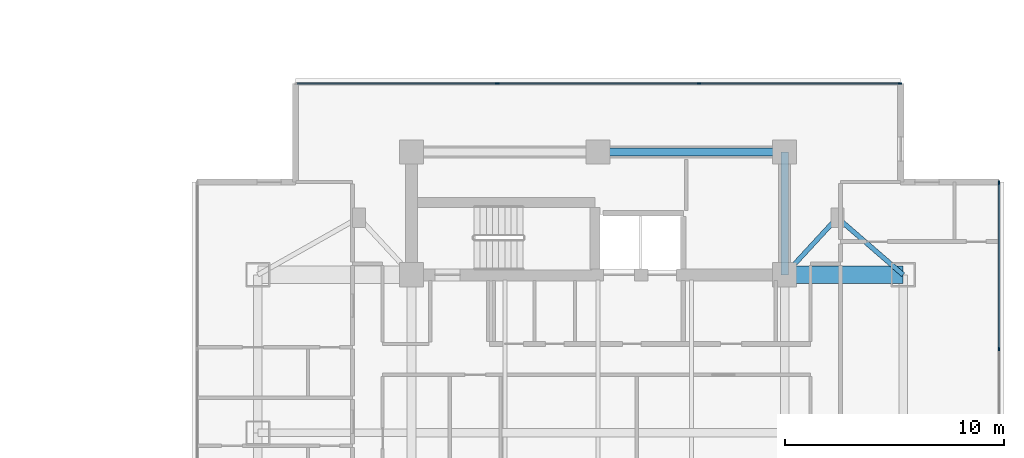
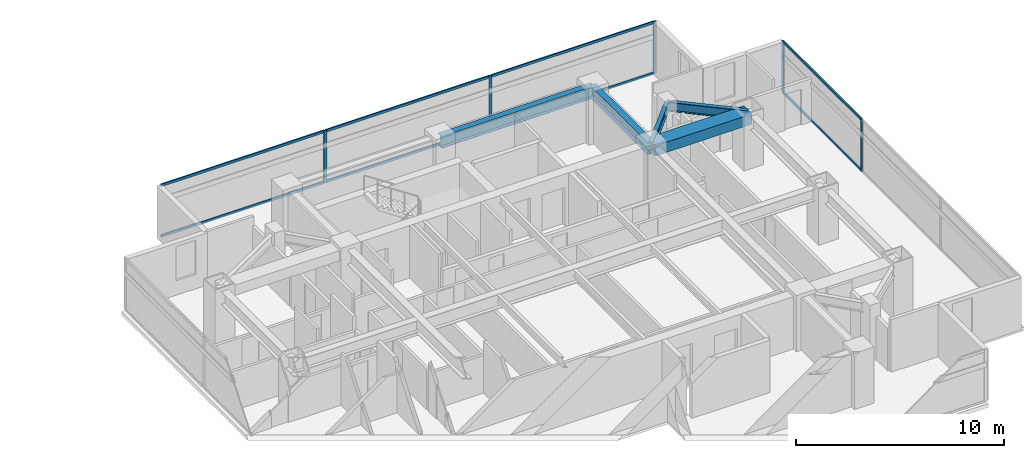
# One storey, part 10 of 24: 13 members, 5 beams, 2 elements without a shape of their own.
"""IFC4 building model written with IfcOpenShell, lengths in metres."""

from ifc_helpers import new_model, si_unit, direction, frame, origin, origin_2d, place, context, subcontext, project, spatial, rectangle, i_section, extrude, material, material_profile, profile_set, type_object, element, aggregate, save


model = new_model("IFC4")

# Units and contexts
model_context = context("Model", 3, precision=1e-05, world=origin(), true_north=direction((0.0, 1.0)))
body_context = subcontext(model_context, "Body", "Model", "MODEL_VIEW")
ifc_project = project(units=[si_unit("LENGTHUNIT", "METRE"), si_unit("AREAUNIT", "SQUARE_METRE"), si_unit("VOLUMEUNIT", "CUBIC_METRE"), si_unit("PLANEANGLEUNIT", "RADIAN"), si_unit("MASSUNIT", "GRAM", prefix="KILO")], contexts=[model_context])

# Site, building, storey
site_placement = place(None, origin())
site = spatial("IfcSite", under=ifc_project, at=site_placement, CompositionType="ELEMENT")
building_placement = place(site_placement, origin())
building = spatial("IfcBuilding", under=site, at=building_placement, Name="Mirazonda Arch Towers", CompositionType="ELEMENT")
storey_placement = place(building_placement, frame((0.0, 0.0, 137.89990234375)))
storey = spatial("IfcBuildingStorey", under=building, at=storey_placement, Name="L39", CompositionType="ELEMENT", Elevation=137.89990234375)

# Beams
ifc_material_1 = material(Name="Steel ASTM A992 Grade 50", Category="steel")
ifc_material_profile_1 = material_profile(ifc_material_1, i_section(OverallWidth=0.214111328125, OverallDepth=0.549072265625, WebThickness=0.0146484375, FlangeThickness=0.023681640625, at=origin_2d()), Name="W21X93")
ifc_profile_set_1 = profile_set([ifc_material_profile_1], Name="Steel ASTM A992 Grade 50")
beam_type_1 = type_object("IfcBeamType", Name="BM-INT-W21X93", PredefinedType="BEAM", material=ifc_profile_set_1)
beam_1_placement = place(storey_placement, frame((87.39990234375, 37.800048828125, 2.8056640625), z_axis=(-0.678251444854, -0.734829897019, 0.0), x_axis=(0.734829897019, -0.678251444854, 0.0)))
element("IfcBeam", 1, at=beam_1_placement, inside=storey, type_object=beam_type_1, Name="L39 Floor Beam BM-T2-L39-PL-NE1", PredefinedType="BEAM", context=body_context, shape_type="SweptSolid", body=[
    extrude(i_section(OverallWidth=0.214111328125, OverallDepth=0.549072265625, WebThickness=0.0146484375, FlangeThickness=0.023681640625, at=origin_2d()), origin(), (0.0, 0.0, 1.0), 3.538330078125),
])
beam_2_placement = place(storey_placement, frame((87.39990234375, 37.800048828125, 2.8056640625), z_axis=(0.755676908098, -0.654944585876, 0.0), x_axis=(0.654944585876, 0.755676908098, 0.0)))
element("IfcBeam", 2, at=beam_2_placement, inside=storey, type_object=beam_type_1, Name="L39 Floor Beam BM-T2-L39-PL-NE2", PredefinedType="BEAM", context=body_context, shape_type="SweptSolid", body=[
    extrude(i_section(OverallWidth=0.214111328125, OverallDepth=0.549072265625, WebThickness=0.0146484375, FlangeThickness=0.023681640625, at=origin_2d()), origin(), (0.0, 0.0, 1.0), 3.969970703125),
])
ifc_material_profile_2 = material_profile(ifc_material_1, i_section(OverallWidth=0.35498046875, OverallDepth=0.696044921875, WebThickness=0.015380859375, FlangeThickness=0.02490234375, at=origin_2d()), Name="W27X146")
ifc_profile_set_2 = profile_set([ifc_material_profile_2], Name="Steel ASTM A992 Grade 50")
beam_type_2 = type_object("IfcBeamType", Name="BM-INT-W27X146", PredefinedType="BEAM", material=ifc_profile_set_2)
beam_3_placement = place(storey_placement, frame((76.5, 40.800048828125, 2.732177734375), z_axis=(1.0, 0.0, 0.0), x_axis=(0.0, 1.0, 0.0)))
element("IfcBeam", 3, at=beam_3_placement, inside=storey, type_object=beam_type_2, Name="L39 Floor Beam BM-T2-L39-CN2", PredefinedType="BEAM", context=body_context, shape_type="SweptSolid", body=[
    extrude(i_section(OverallWidth=0.35498046875, OverallDepth=0.696044921875, WebThickness=0.015380859375, FlangeThickness=0.02490234375, at=origin_2d()), origin(), (0.0, 0.0, 1.0), 8.5),
])
beam_4_placement = place(storey_placement, frame((85.0, 35.199951171875, 2.732177734375), z_axis=(0.0, 1.0, 0.0), x_axis=(-1.0, 0.0, 0.0)))
element("IfcBeam", 4, at=beam_4_placement, inside=storey, type_object=beam_type_2, Name="L39 Floor Beam BM-T2-L39-CNE", PredefinedType="BEAM", context=body_context, shape_type="SweptSolid", body=[
    extrude(i_section(OverallWidth=0.35498046875, OverallDepth=0.696044921875, WebThickness=0.015380859375, FlangeThickness=0.02490234375, at=origin_2d()), origin(), (0.0, 0.0, 1.0), 5.60009765625),
])
ifc_material_2 = material(Name="Concrete C60/75", Category="concrete")
ifc_material_profile_3 = material_profile(ifc_material_2, rectangle(XDim=0.800048828125, YDim=0.60009765625, at=origin_2d()), Name="RCCB800x600")
ifc_profile_set_3 = profile_set([ifc_material_profile_3], Name="Concrete C60/75")
beam_type_3 = type_object("IfcBeamType", Name="CB-INT-RCCB800x600", PredefinedType="SPANDREL", material=ifc_profile_set_3)
beam_5_placement = place(storey_placement, frame((85.0, 35.199951171875, 2.780029296875), z_axis=(1.0, 0.0, 0.0), x_axis=(0.0, 1.0, 0.0)))
element("IfcBeam", 5, at=beam_5_placement, inside=storey, type_object=beam_type_3, Name="L39 Floor Beam CBC-T2-L39-NE", PredefinedType="SPANDREL", context=body_context, shape_type="SweptSolid", body=[
    extrude(rectangle(XDim=0.800048828125, YDim=0.60009765625, at=origin_2d()), origin(), (0.0, 0.0, 1.0), 5.39990234375),
])

# Curtain wall, members
ifc_material_3 = material(Name="Anodised Aluminium and Low-E Glass", Category="aluminium")
curtain_wall_type = type_object("IfcCurtainWallType", Name="CW-HTL-UNIT", PredefinedType="NOTDEFINED", material=ifc_material_3)
curtain_wall_1_placement = place(storey_placement, origin())
curtain_wall_1 = element("IfcCurtainWall", 6, at=curtain_wall_1_placement, inside=storey, type_object=curtain_wall_type, Name="L39 T2 E Facade CW-L39-T2-E", PredefinedType="NOTDEFINED")
ifc_material_4 = material(Name="Anodised Aluminium Alloy", Category="aluminium")
ifc_material_profile_4 = material_profile(ifc_material_4, rectangle(XDim=0.074951171875, YDim=0.1650390625, at=origin_2d()), Name="ALU-MULL-75x165")
ifc_profile_set_4 = profile_set([ifc_material_profile_4], Name="Anodised Aluminium Alloy")
member_type_1 = type_object("IfcMemberType", Name="MULL-CW-HTL-UNIT", PredefinedType="MULLION", material=ifc_profile_set_4)
member_1_placement = place(storey_placement, frame((94.77294921875, 31.810791015625, 0.0), z_axis=(0.0, 0.0, 1.0), x_axis=(-1.0, 0.0, 0.0)))
member_1 = element("IfcMember", 7, at=member_1_placement, type_object=member_type_1, Name="CW-112 mullion 3", PredefinedType="MULLION", context=body_context, shape_type="SweptSolid", body=[
    extrude(rectangle(XDim=0.074951171875, YDim=0.1650390625, at=origin_2d()), origin(), (0.0, 0.0, 1.0), 3.06005859375),
])
member_2_placement = place(storey_placement, frame((94.77294921875, 39.394775390625, 0.0), z_axis=(0.0, 0.0, 1.0), x_axis=(-1.0, 0.0, 0.0)))
member_2 = element("IfcMember", 8, at=member_2_placement, type_object=member_type_1, Name="CW-112 mullion 4", PredefinedType="MULLION", context=body_context, shape_type="SweptSolid", body=[
    extrude(rectangle(XDim=0.074951171875, YDim=0.1650390625, at=origin_2d()), origin(), (0.0, 0.0, 1.0), 3.06005859375),
])

curtain_wall_2_placement = place(storey_placement, origin())
curtain_wall_2 = element("IfcCurtainWall", 9, at=curtain_wall_2_placement, inside=storey, type_object=curtain_wall_type, Name="L39 T2 N Facade CW-L39-T2-N", PredefinedType="NOTDEFINED")
member_3_placement = place(storey_placement, frame((71.904541015625, 43.918701171875, 0.0), z_axis=(0.0, 0.0, 1.0), x_axis=(0.0, 1.0, 0.0)))
member_3 = element("IfcMember", 10, at=member_3_placement, type_object=member_type_1, Name="CW-112 mullion 2", PredefinedType="MULLION", context=body_context, shape_type="SweptSolid", body=[
    extrude(rectangle(XDim=0.074951171875, YDim=0.1650390625, at=origin_2d()), origin(), (0.0, 0.0, 1.0), 3.06005859375),
])
member_4_placement = place(storey_placement, frame((81.095458984375, 43.918701171875, 0.0), z_axis=(0.0, 0.0, 1.0), x_axis=(0.0, 1.0, 0.0)))
member_4 = element("IfcMember", 11, at=member_4_placement, type_object=member_type_1, Name="CW-112 mullion 3", PredefinedType="MULLION", context=body_context, shape_type="SweptSolid", body=[
    extrude(rectangle(XDim=0.074951171875, YDim=0.1650390625, at=origin_2d()), origin(), (0.0, 0.0, 1.0), 3.06005859375),
])
member_5_placement = place(storey_placement, frame((90.2490234375, 43.918701171875, 0.0), z_axis=(0.0, 0.0, 1.0), x_axis=(0.0, 1.0, 0.0)))
member_5 = element("IfcMember", 12, at=member_5_placement, type_object=member_type_1, Name="CW-112 mullion 4", PredefinedType="MULLION", context=body_context, shape_type="SweptSolid", body=[
    extrude(rectangle(XDim=0.074951171875, YDim=0.1650390625, at=origin_2d()), origin(), (0.0, 0.0, 1.0), 3.06005859375),
])

# Member
ifc_material_profile_5 = material_profile(ifc_material_4, rectangle(XDim=0.074951171875, YDim=0.14501953125, at=origin_2d()), Name="ALU-TRAN-75x145")
ifc_profile_set_5 = profile_set([ifc_material_profile_5], Name="Anodised Aluminium Alloy")
member_type_2 = type_object("IfcMemberType", Name="TRAN-CW-HTL-UNIT", PredefinedType="USERDEFINED", material=ifc_profile_set_5)
member_6_placement = place(storey_placement, frame((94.77294921875, 31.848388671875, 0.03759765625), z_axis=(0.0, 1.0, 0.0), x_axis=(-1.0, 0.0, 0.0)))
member_6 = element("IfcMember", 13, at=member_6_placement, type_object=member_type_2, Name="CW-112 transom 3.1", ObjectType="TRANSOM", PredefinedType="USERDEFINED", context=body_context, shape_type="SweptSolid", body=[
    extrude(rectangle(XDim=0.074951171875, YDim=0.14501953125, at=origin_2d()), origin(), (0.0, 0.0, 1.0), 7.509033203125),
])

member_7_placement = place(storey_placement, frame((94.77294921875, 31.848388671875, 3.022705078125), z_axis=(0.0, 1.0, 0.0), x_axis=(-1.0, 0.0, 0.0)))
member_7 = element("IfcMember", 14, at=member_7_placement, type_object=member_type_2, Name="CW-112 transom 3.2", ObjectType="TRANSOM", PredefinedType="USERDEFINED", context=body_context, shape_type="SweptSolid", body=[
    extrude(rectangle(XDim=0.074951171875, YDim=0.14501953125, at=origin_2d()), origin(), (0.0, 0.0, 1.0), 7.509033203125),
])

aggregate(curtain_wall_1, [member_1, member_2, member_6, member_7])

member_8_placement = place(storey_placement, frame((62.78857421875, 43.918701171875, 0.03759765625), z_axis=(1.0, 0.0, 0.0), x_axis=(0.0, 1.0, 0.0)))
member_8 = element("IfcMember", 15, at=member_8_placement, type_object=member_type_2, Name="CW-112 transom 1.1", ObjectType="TRANSOM", PredefinedType="USERDEFINED", context=body_context, shape_type="SweptSolid", body=[
    extrude(rectangle(XDim=0.074951171875, YDim=0.14501953125, at=origin_2d()), origin(), (0.0, 0.0, 1.0), 9.078369140625),
])

member_9_placement = place(storey_placement, frame((62.78857421875, 43.918701171875, 3.022705078125), z_axis=(1.0, 0.0, 0.0), x_axis=(0.0, 1.0, 0.0)))
member_9 = element("IfcMember", 16, at=member_9_placement, type_object=member_type_2, Name="CW-112 transom 1.2", ObjectType="TRANSOM", PredefinedType="USERDEFINED", context=body_context, shape_type="SweptSolid", body=[
    extrude(rectangle(XDim=0.074951171875, YDim=0.14501953125, at=origin_2d()), origin(), (0.0, 0.0, 1.0), 9.078369140625),
])

member_10_placement = place(storey_placement, frame((71.94189453125, 43.918701171875, 0.03759765625), z_axis=(1.0, 0.0, 0.0), x_axis=(0.0, 1.0, 0.0)))
member_10 = element("IfcMember", 17, at=member_10_placement, type_object=member_type_2, Name="CW-112 transom 2.1", ObjectType="TRANSOM", PredefinedType="USERDEFINED", context=body_context, shape_type="SweptSolid", body=[
    extrude(rectangle(XDim=0.074951171875, YDim=0.14501953125, at=origin_2d()), origin(), (0.0, 0.0, 1.0), 9.1162109375),
])

member_11_placement = place(storey_placement, frame((71.94189453125, 43.918701171875, 3.022705078125), z_axis=(1.0, 0.0, 0.0), x_axis=(0.0, 1.0, 0.0)))
member_11 = element("IfcMember", 18, at=member_11_placement, type_object=member_type_2, Name="CW-112 transom 2.2", ObjectType="TRANSOM", PredefinedType="USERDEFINED", context=body_context, shape_type="SweptSolid", body=[
    extrude(rectangle(XDim=0.074951171875, YDim=0.14501953125, at=origin_2d()), origin(), (0.0, 0.0, 1.0), 9.1162109375),
])

member_12_placement = place(storey_placement, frame((81.133056640625, 43.918701171875, 0.03759765625), z_axis=(1.0, 0.0, 0.0), x_axis=(0.0, 1.0, 0.0)))
member_12 = element("IfcMember", 19, at=member_12_placement, type_object=member_type_2, Name="CW-112 transom 3.1", ObjectType="TRANSOM", PredefinedType="USERDEFINED", context=body_context, shape_type="SweptSolid", body=[
    extrude(rectangle(XDim=0.074951171875, YDim=0.14501953125, at=origin_2d()), origin(), (0.0, 0.0, 1.0), 9.078369140625),
])

member_13_placement = place(storey_placement, frame((81.133056640625, 43.918701171875, 3.022705078125), z_axis=(1.0, 0.0, 0.0), x_axis=(0.0, 1.0, 0.0)))
member_13 = element("IfcMember", 20, at=member_13_placement, type_object=member_type_2, Name="CW-112 transom 3.2", ObjectType="TRANSOM", PredefinedType="USERDEFINED", context=body_context, shape_type="SweptSolid", body=[
    extrude(rectangle(XDim=0.074951171875, YDim=0.14501953125, at=origin_2d()), origin(), (0.0, 0.0, 1.0), 9.078369140625),
])

aggregate(curtain_wall_2, [member_3, member_4, member_5, member_8, member_9, member_10, member_11, member_12, member_13])

save(model, "model.ifc")
